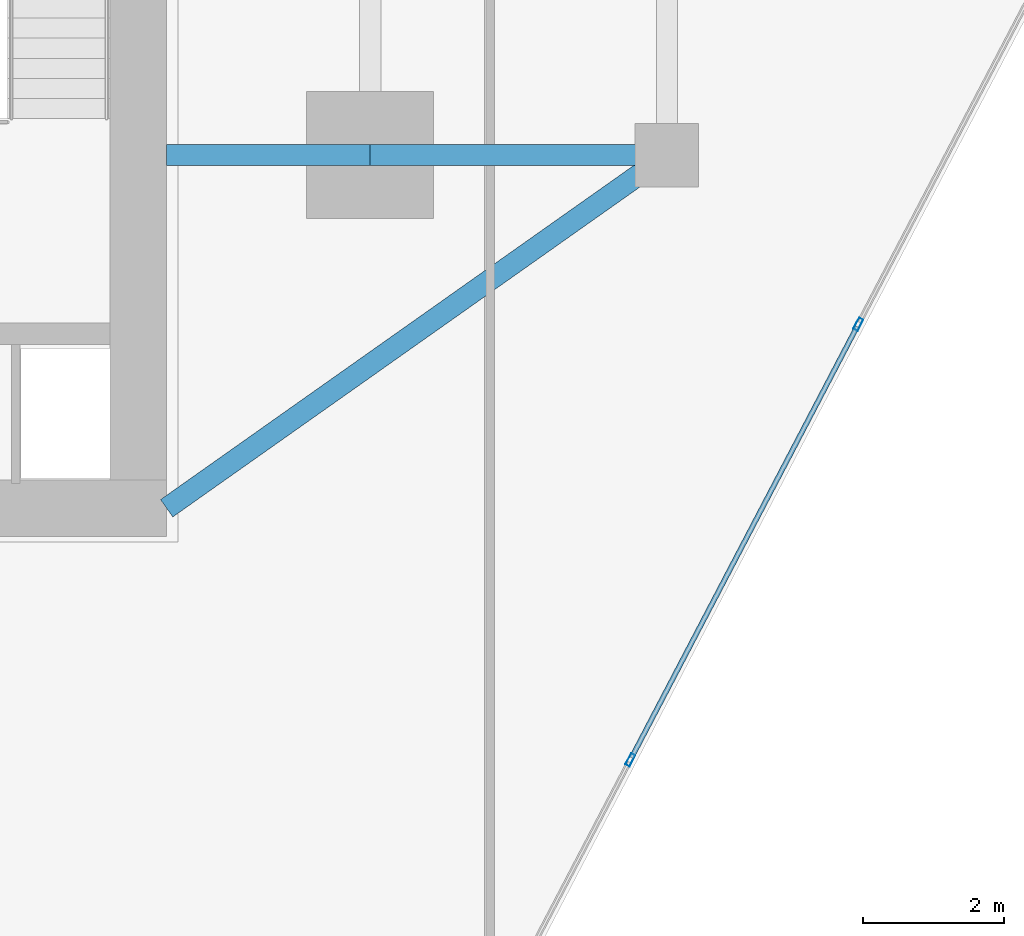
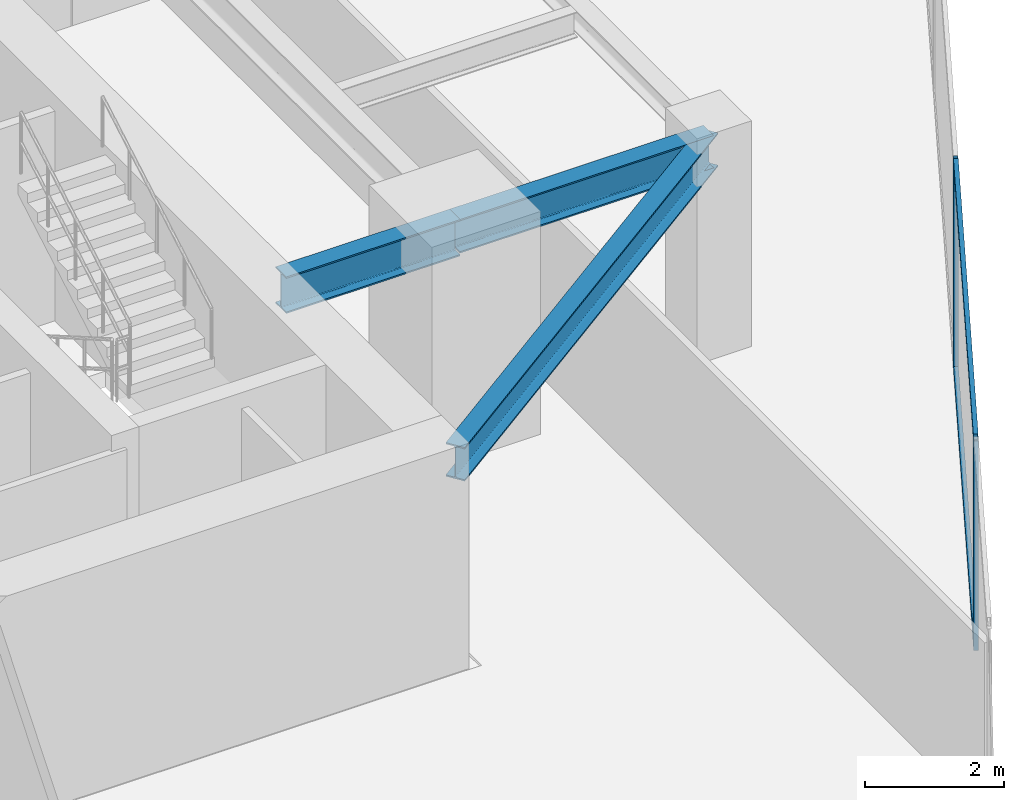
# One storey, part 10 of 27: 4 members, 3 beams, 1 element without a shape of its own.
"""IFC4 building model written with IfcOpenShell, lengths in metres."""

from ifc_helpers import new_model, si_unit, direction, frame, origin, origin_2d, place, context, subcontext, project, spatial, hollow_rectangle, i_section, extrude, source, transform, mapped, material, material_profile, profile_set, type_object, type_shapes, element, aggregate, save


model = new_model("IFC4")

# Units and contexts
model_context = context("Model", 3, precision=1e-05, world=origin(), true_north=direction((0.0, 1.0)))
body_context = subcontext(model_context, "Body", "Model", "MODEL_VIEW")
ifc_project = project(units=[si_unit("LENGTHUNIT", "METRE"), si_unit("AREAUNIT", "SQUARE_METRE"), si_unit("VOLUMEUNIT", "CUBIC_METRE"), si_unit("PLANEANGLEUNIT", "RADIAN"), si_unit("MASSUNIT", "GRAM", prefix="KILO")], contexts=[model_context])

# Site, building, storey
site_placement = place(None, origin())
site = spatial("IfcSite", under=ifc_project, at=site_placement, CompositionType="ELEMENT")
building_placement = place(site_placement, origin())
building = spatial("IfcBuilding", under=site, at=building_placement, Name="Krantzveldt Concourse Tower", CompositionType="ELEMENT")
storey_placement = place(building_placement, frame((0.0, 0.0, 150.14990234375)))
storey = spatial("IfcBuildingStorey", under=building, at=storey_placement, Name="L36", CompositionType="ELEMENT", Elevation=150.14990234375)

# Beams
ifc_material_1 = material(Name="Steel S355JR", Category="steel")
ifc_material_profile_1 = material_profile(ifc_material_1, i_section(OverallWidth=0.300048828125, OverallDepth=0.590087890625, WebThickness=0.012939453125, FlangeThickness=0.02490234375, FilletRadius=0.027099609375, at=origin_2d()), Name="Steel S355JR", Category="steel")
ifc_profile_set_1 = profile_set([ifc_material_profile_1], Name="Steel S355JR - HEA 600")
beam_type_1 = type_object("IfcBeamType", Name="BM-B-HEA600", PredefinedType="BEAM", material=ifc_profile_set_1)
shared_shape_1 = source(origin(), body_context, "Body", "SweptSolid", [
    extrude(i_section(OverallWidth=0.300048828125, OverallDepth=0.590087890625, WebThickness=0.012939453125, FlangeThickness=0.02490234375, FilletRadius=0.027099609375, at=origin_2d()), origin(), (0.0, 0.0, 1.0), 4.199951171875),
])
beam_1_placement = place(storey_placement, frame((46.800048828125, 15.89990234375, 3.375), z_axis=(1.0, 0.0, 0.0), x_axis=(0.0, 1.0, 0.0)))
element("IfcBeam", 1, at=beam_1_placement, inside=storey, type_object=beam_type_1, Name="L36 Tower Girder BR-RR1", PredefinedType="BEAM", context=body_context, shape_type="MappedRepresentation", body=[
    mapped(shared_shape_1, transform((0.0, 0.0, 0.0), x_axis=(1.0, 0.0, 0.0), y_axis=(0.0, 1.0, 0.0), z_axis=(0.0, 0.0, 1.0), scale=1.0)),
])
shared_shape_2 = source(origin(), body_context, "Body", "SweptSolid", [
    extrude(i_section(OverallWidth=0.300048828125, OverallDepth=0.590087890625, WebThickness=0.012939453125, FlangeThickness=0.02490234375, FilletRadius=0.027099609375, at=origin_2d()), origin(), (0.0, 0.0, 1.0), 8.667724609375),
])
type_shapes(beam_type_1, [shared_shape_1, shared_shape_2])
beam_2_placement = place(storey_placement, frame((51.0, 15.89990234375, 3.375), z_axis=(-0.81684294656, -0.576860122261, 0.0), x_axis=(0.576860122261, -0.81684294656, 0.0)))
element("IfcBeam", 2, at=beam_2_placement, inside=storey, type_object=beam_type_1, Name="L36 Tower Girder BR-CSE", PredefinedType="BEAM", context=body_context, shape_type="MappedRepresentation", body=[
    mapped(shared_shape_2, transform((0.0, 0.0, 0.0), x_axis=(1.0, 0.0, 0.0), y_axis=(0.0, 1.0, 0.0), z_axis=(0.0, 0.0, 1.0), scale=1.0)),
])
ifc_material_profile_2 = material_profile(ifc_material_1, i_section(OverallWidth=0.300048828125, OverallDepth=0.639892578125, WebThickness=0.013427734375, FlangeThickness=0.02587890625, FilletRadius=0.027099609375, at=origin_2d()), Name="Steel S355JR", Category="steel")
ifc_profile_set_2 = profile_set([ifc_material_profile_2], Name="Steel S355JR - HEA 650")
beam_type_2 = type_object("IfcBeamType", Name="BM-B-HEA650", PredefinedType="BEAM", material=ifc_profile_set_2)
shared_shape_3 = source(origin(), body_context, "Body", "SweptSolid", [
    extrude(i_section(OverallWidth=0.300048828125, OverallDepth=0.639892578125, WebThickness=0.013427734375, FlangeThickness=0.02587890625, FilletRadius=0.027099609375, at=origin_2d()), origin(), (0.0, 0.0, 1.0), 2.880126953125),
])
type_shapes(beam_type_2, [shared_shape_3])
beam_3_placement = place(storey_placement, frame((43.919921875, 15.89990234375, 3.35009765625), z_axis=(1.0, 0.0, 0.0), x_axis=(0.0, 1.0, 0.0)))
element("IfcBeam", 3, at=beam_3_placement, inside=storey, type_object=beam_type_2, Name="L36 Tower Girder BG-CE1", PredefinedType="BEAM", context=body_context, shape_type="MappedRepresentation", body=[
    mapped(shared_shape_3, transform((0.0, 0.0, 0.0), x_axis=(1.0, 0.0, 0.0), y_axis=(0.0, 1.0, 0.0), z_axis=(0.0, 0.0, 1.0), scale=1.0)),
])

# Curtain wall, members
ifc_material_2 = material(Name="Anodised aluminium 6063-T6", Category="aluminium")
curtain_wall_type = type_object("IfcCurtainWallType", Name="CW3", PredefinedType="USERDEFINED", material=ifc_material_2)
curtain_wall_placement = place(storey_placement, origin())
curtain_wall = element("IfcCurtainWall", 4, at=curtain_wall_placement, inside=storey, type_object=curtain_wall_type, Name="CW-L36-F07", ObjectType="UNITISED CURTAIN WALL", PredefinedType="USERDEFINED")
ifc_material_profile_3 = material_profile(ifc_material_2, hollow_rectangle(XDim=0.070068359375, YDim=0.179931640625, WallThickness=0.0048828125, at=origin_2d()), Name="Anodised aluminium 6063-T6", Category="aluminium")
ifc_profile_set_3 = profile_set([ifc_material_profile_3], Name="Anodised aluminium 6063-T6 - ALU-MULL 180x70x5")
member_type_1 = type_object("IfcMemberType", Name="CW-MUL-180", PredefinedType="MULLION", material=ifc_profile_set_3)
shared_shape_4 = source(origin(), body_context, "Body", "SweptSolid", [
    extrude(hollow_rectangle(XDim=0.070068359375, YDim=0.179931640625, WallThickness=0.0048828125, at=origin_2d()), origin(), (0.0, 0.0, 1.0), 3.670166015625),
])
type_shapes(member_type_1, [shared_shape_4])
member_1_placement = place(storey_placement, frame((50.48291015625, 7.337158203125, 0.0), z_axis=(0.0, 0.0, 1.0), x_axis=(-0.886001265743, 0.463682819502, 0.0)))
member_1 = element("IfcMember", 5, at=member_1_placement, type_object=member_type_1, Name="CW-Z34 mullion 2", PredefinedType="MULLION", context=body_context, shape_type="MappedRepresentation", body=[
    mapped(shared_shape_4, transform((0.0, 0.0, 0.0), x_axis=(1.0, 0.0, 0.0), y_axis=(0.0, 1.0, 0.0), z_axis=(0.0, 0.0, 1.0), scale=1.0)),
])
member_2_placement = place(storey_placement, frame((53.7099609375, 13.50390625, 0.0), z_axis=(0.0, 0.0, 1.0), x_axis=(-0.886001265743, 0.463682819502, 0.0)))
member_2 = element("IfcMember", 6, at=member_2_placement, type_object=member_type_1, Name="CW-Z34 mullion 3", PredefinedType="MULLION", context=body_context, shape_type="MappedRepresentation", body=[
    mapped(shared_shape_4, transform((0.0, 0.0, 0.0), x_axis=(1.0, 0.0, 0.0), y_axis=(0.0, 1.0, 0.0), z_axis=(0.0, 0.0, 1.0), scale=1.0)),
])
ifc_material_profile_4 = material_profile(ifc_material_2, hollow_rectangle(XDim=0.070068359375, YDim=0.139892578125, WallThickness=0.0048828125, at=origin_2d()), Name="Anodised aluminium 6063-T6", Category="aluminium")
ifc_profile_set_4 = profile_set([ifc_material_profile_4], Name="Anodised aluminium 6063-T6 - ALU-TRAN 140x70x5")
member_type_2 = type_object("IfcMemberType", Name="CW-TRN-150", PredefinedType="USERDEFINED", material=ifc_profile_set_4)
shared_shape_5 = source(origin(), body_context, "Body", "SweptSolid", [
    extrude(hollow_rectangle(XDim=0.070068359375, YDim=0.139892578125, WallThickness=0.0048828125, at=origin_2d()), origin(), (0.0, 0.0, 1.0), 6.89013671875),
])
type_shapes(member_type_2, [shared_shape_5])
member_3_placement = place(storey_placement, frame((50.4990234375, 7.3681640625, 0.03515625), z_axis=(0.463677283577, 0.88600416291, 0.0), x_axis=(-0.88600416291, 0.463677283577, 0.0)))
member_3 = element("IfcMember", 7, at=member_3_placement, type_object=member_type_2, Name="CW-Z34 transom 2.1", ObjectType="TRANSOM", PredefinedType="USERDEFINED", context=body_context, shape_type="MappedRepresentation", body=[
    mapped(shared_shape_5, transform((0.0, 0.0, 0.0), x_axis=(1.0, 0.0, 0.0), y_axis=(0.0, 1.0, 0.0), z_axis=(0.0, 0.0, 1.0), scale=1.0)),
])
member_4_placement = place(storey_placement, frame((50.4990234375, 7.3681640625, 3.635009765625), z_axis=(0.463677283577, 0.88600416291, 0.0), x_axis=(-0.88600416291, 0.463677283577, 0.0)))
member_4 = element("IfcMember", 8, at=member_4_placement, type_object=member_type_2, Name="CW-Z34 transom 2.2", ObjectType="TRANSOM", PredefinedType="USERDEFINED", context=body_context, shape_type="MappedRepresentation", body=[
    mapped(shared_shape_5, transform((0.0, 0.0, 0.0), x_axis=(1.0, 0.0, 0.0), y_axis=(0.0, 1.0, 0.0), z_axis=(0.0, 0.0, 1.0), scale=1.0)),
])
aggregate(curtain_wall, [member_1, member_2, member_3, member_4])

save(model, "model.ifc")
